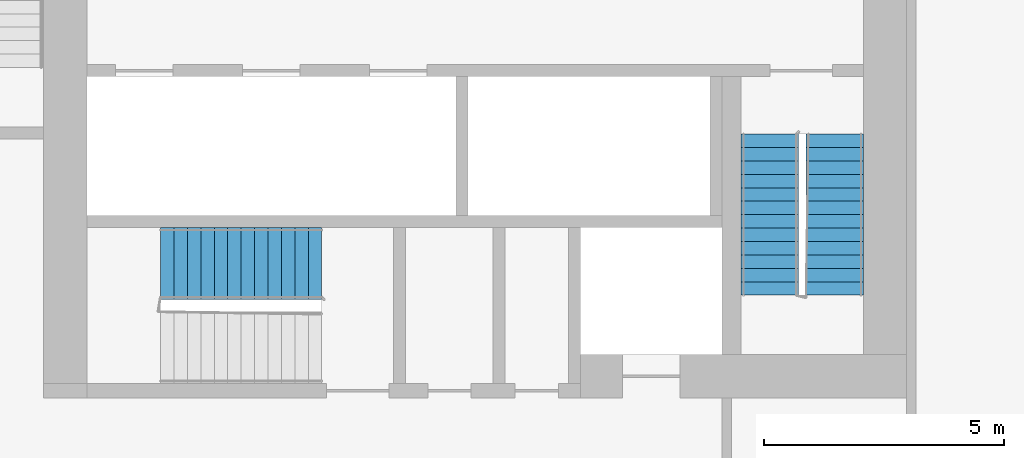
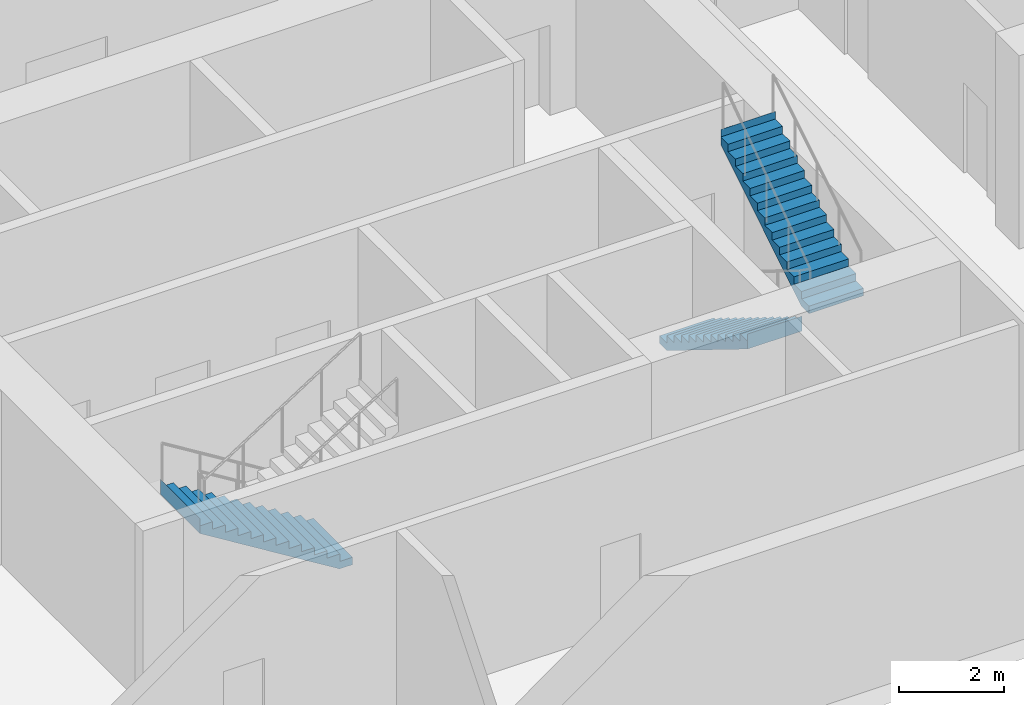
# One storey, part 13 of 19: 3 stair flights, 2 elements without a shape of their own.
"""IFC4 building model written with IfcOpenShell, lengths in metres."""

from ifc_helpers import new_model, si_unit, direction, frame, origin, place, context, subcontext, project, spatial, faceted_brep, material, type_object, element, aggregate, save


model = new_model("IFC4")

# Units and contexts
model_context = context("Model", 3, precision=1e-05, world=origin(), true_north=direction((0.0, 1.0)))
body_context = subcontext(model_context, "Body", "Model", "MODEL_VIEW")
ifc_project = project(units=[si_unit("LENGTHUNIT", "METRE"), si_unit("AREAUNIT", "SQUARE_METRE"), si_unit("VOLUMEUNIT", "CUBIC_METRE"), si_unit("PLANEANGLEUNIT", "RADIAN"), si_unit("MASSUNIT", "GRAM", prefix="KILO")], contexts=[model_context])

# Site, building, storey
site_placement = place(None, origin())
site = spatial("IfcSite", under=ifc_project, at=site_placement, CompositionType="ELEMENT")
building_placement = place(site_placement, origin())
building = spatial("IfcBuilding", under=site, at=building_placement, Name="Kajstack Hotel Tower", CompositionType="ELEMENT")
storey_placement = place(building_placement, frame((0.0, 0.0, 33.5)))
storey = spatial("IfcBuildingStorey", under=building, at=storey_placement, Name="L05", CompositionType="ELEMENT", Elevation=33.5)

# Stair, stair flights
ifc_material = material(Name="Concrete C40/50", Category="concrete")
stair_type_1 = type_object("IfcStairType", Name="Exit stair 1200", PredefinedType="HALF_TURN_STAIR", material=ifc_material)
stair_1_placement = place(storey_placement, origin())
stair_1 = element("IfcStair", 1, at=stair_1_placement, inside=storey, type_object=stair_type_1, Name="L05 stair W2", PredefinedType="HALF_TURN_STAIR")
stair_flight_type_1 = type_object("IfcStairFlightType", Name="Exit stair flight 1200", PredefinedType="STRAIGHT", material=ifc_material)
stair_flight_1_placement = place(storey_placement, frame((-16.35009765625, -10.0, 0.0), z_axis=(0.0, 0.0, 1.0), x_axis=(0.0, -1.0, 0.0)))
stair_flight_1 = element("IfcStairFlight", 2, at=stair_flight_1_placement, type_object=stair_flight_type_1, Name="W2 flight 1", NumberOfRisers=13, NumberOfTreads=12, PredefinedType="STRAIGHT", RiserHeight=0.173076923, TreadLength=0.28, context=body_context, shape_type="Brep", body=[
    faceted_brep([(0.28564453125, -0.60009765625, 0.0), (3.360595703125, -0.60009765625, 1.900634765625), (3.360595703125, -0.60009765625, 2.25), (3.360107421875, -0.60009765625, 2.25), (3.360107421875, -0.60009765625, 2.076904296875), (3.080078125, -0.60009765625, 2.076904296875), (3.080078125, -0.60009765625, 1.90380859375), (2.800048828125, -0.60009765625, 1.90380859375), (2.800048828125, -0.60009765625, 1.730712890625), (2.52001953125, -0.60009765625, 1.730712890625), (2.52001953125, -0.60009765625, 1.5576171875), (2.239990234375, -0.60009765625, 1.5576171875), (2.239990234375, -0.60009765625, 1.384521484375), (1.9599609375, -0.60009765625, 1.384521484375), (1.9599609375, -0.60009765625, 1.21142578125), (1.679931640625, -0.60009765625, 1.21142578125), (1.679931640625, -0.60009765625, 1.03857421875), (1.39990234375, -0.60009765625, 1.03857421875), (1.39990234375, -0.60009765625, 0.865478515625), (1.1201171875, -0.60009765625, 0.865478515625), (1.1201171875, -0.60009765625, 0.6923828125), (0.840087890625, -0.60009765625, 0.6923828125), (0.840087890625, -0.60009765625, 0.519287109375), (0.56005859375, -0.60009765625, 0.519287109375), (0.56005859375, -0.60009765625, 0.34619140625), (0.280029296875, -0.60009765625, 0.34619140625), (0.280029296875, -0.60009765625, 0.173095703125), (-0.00048828125, -0.60009765625, 0.173095703125), (-0.00048828125, -0.60009765625, 0.0), (-0.00048828125, 0.60009765625, 0.0), (-0.00048828125, 0.60009765625, 0.173095703125), (0.280029296875, 0.60009765625, 0.173095703125), (0.280029296875, 0.60009765625, 0.34619140625), (0.56005859375, 0.60009765625, 0.34619140625), (0.56005859375, 0.60009765625, 0.519287109375), (0.840087890625, 0.60009765625, 0.519287109375), (0.840087890625, 0.60009765625, 0.6923828125), (1.1201171875, 0.60009765625, 0.6923828125), (1.1201171875, 0.60009765625, 0.865478515625), (1.39990234375, 0.60009765625, 0.865478515625), (1.39990234375, 0.60009765625, 1.03857421875), (1.679931640625, 0.60009765625, 1.03857421875), (1.679931640625, 0.60009765625, 1.21142578125), (1.9599609375, 0.60009765625, 1.21142578125), (1.9599609375, 0.60009765625, 1.384521484375), (2.239990234375, 0.60009765625, 1.384521484375), (2.239990234375, 0.60009765625, 1.5576171875), (2.52001953125, 0.60009765625, 1.5576171875), (2.52001953125, 0.60009765625, 1.730712890625), (2.800048828125, 0.60009765625, 1.730712890625), (2.800048828125, 0.60009765625, 1.90380859375), (3.080078125, 0.60009765625, 1.90380859375), (3.080078125, 0.60009765625, 2.076904296875), (3.360107421875, 0.60009765625, 2.076904296875), (3.360107421875, 0.60009765625, 2.25), (3.360595703125, 0.60009765625, 2.25), (3.360595703125, 0.60009765625, 1.900634765625), (0.28564453125, 0.60009765625, 0.0), (-0.00048828125, -0.300048828125, 0.173095703125), (-0.00048828125, 0.0, 0.173095703125), (-0.00048828125, 0.300048828125, 0.173095703125), (-0.00048828125, 0.300048828125, 0.0), (-0.00048828125, 0.0, 0.0), (-0.00048828125, -0.300048828125, 0.0), (0.280029296875, -0.300048828125, 0.173095703125), (0.280029296875, 0.0, 0.173095703125), (0.280029296875, 0.300048828125, 0.173095703125), (0.280029296875, -0.300048828125, 0.34619140625), (0.280029296875, 0.0, 0.34619140625), (0.280029296875, 0.300048828125, 0.34619140625), (0.56005859375, -0.300048828125, 0.34619140625), (0.56005859375, 0.0, 0.34619140625), (0.56005859375, 0.300048828125, 0.34619140625), (0.56005859375, -0.300048828125, 0.519287109375), (0.56005859375, 0.0, 0.519287109375), (0.56005859375, 0.300048828125, 0.519287109375), (0.840087890625, -0.300048828125, 0.519287109375), (0.840087890625, 0.0, 0.519287109375), (0.840087890625, 0.300048828125, 0.519287109375), (0.840087890625, -0.300048828125, 0.6923828125), (0.840087890625, 0.0, 0.6923828125), (0.840087890625, 0.300048828125, 0.6923828125), (1.1201171875, -0.300048828125, 0.6923828125), (1.1201171875, 0.0, 0.6923828125), (1.1201171875, 0.300048828125, 0.6923828125), (1.1201171875, -0.300048828125, 0.865478515625), (1.1201171875, 0.0, 0.865478515625), (1.1201171875, 0.300048828125, 0.865478515625), (1.39990234375, -0.300048828125, 0.865478515625), (1.39990234375, 0.0, 0.865478515625), (1.39990234375, 0.300048828125, 0.865478515625), (1.39990234375, -0.300048828125, 1.03857421875), (1.39990234375, 0.0, 1.03857421875), (1.39990234375, 0.300048828125, 1.03857421875), (1.679931640625, -0.300048828125, 1.03857421875), (1.679931640625, 0.0, 1.03857421875), (1.679931640625, 0.300048828125, 1.03857421875), (1.679931640625, -0.300048828125, 1.21142578125), (1.679931640625, 0.0, 1.21142578125), (1.679931640625, 0.300048828125, 1.21142578125), (1.9599609375, -0.300048828125, 1.21142578125), (1.9599609375, 0.0, 1.21142578125), (1.9599609375, 0.300048828125, 1.21142578125), (1.9599609375, -0.300048828125, 1.384521484375), (1.9599609375, 0.0, 1.384521484375), (1.9599609375, 0.300048828125, 1.384521484375), (2.239990234375, -0.300048828125, 1.384521484375), (2.239990234375, 0.0, 1.384521484375), (2.239990234375, 0.300048828125, 1.384521484375), (2.239990234375, -0.300048828125, 1.5576171875), (2.239990234375, 0.0, 1.5576171875), (2.239990234375, 0.300048828125, 1.5576171875), (2.52001953125, -0.300048828125, 1.5576171875), (2.52001953125, 0.0, 1.5576171875), (2.52001953125, 0.300048828125, 1.5576171875), (2.52001953125, -0.300048828125, 1.730712890625), (2.52001953125, 0.0, 1.730712890625), (2.52001953125, 0.300048828125, 1.730712890625), (2.800048828125, -0.300048828125, 1.730712890625), (2.800048828125, 0.0, 1.730712890625), (2.800048828125, 0.300048828125, 1.730712890625), (2.800048828125, -0.300048828125, 1.90380859375), (2.800048828125, 0.0, 1.90380859375), (2.800048828125, 0.300048828125, 1.90380859375), (3.080078125, -0.300048828125, 1.90380859375), (3.080078125, 0.0, 1.90380859375), (3.080078125, 0.300048828125, 1.90380859375), (3.080078125, -0.300048828125, 2.076904296875), (3.080078125, 0.0, 2.076904296875), (3.080078125, 0.300048828125, 2.076904296875), (3.360107421875, -0.300048828125, 2.076904296875), (3.360107421875, 0.0, 2.076904296875), (3.360107421875, 0.300048828125, 2.076904296875), (3.360107421875, -0.300048828125, 2.25), (3.360107421875, 0.0, 2.25), (3.360107421875, 0.300048828125, 2.25), (3.360595703125, -0.300048828125, 2.25), (3.360595703125, 0.0, 2.25), (3.360595703125, 0.300048828125, 2.25), (3.360595703125, -0.300048828125, 1.900634765625), (3.360595703125, 0.0, 1.900634765625), (3.360595703125, 0.300048828125, 1.900634765625), (0.28564453125, -0.300048828125, 0.0), (0.28564453125, 0.0, 0.0), (0.28564453125, 0.300048828125, 0.0)], [[[0, 1, 2, 3, 4, 5, 6, 7, 8, 9, 10, 11, 12, 13, 14, 15, 16, 17, 18, 19, 20, 21, 22, 23, 24, 25, 26, 27, 28]], [[29, 30, 31, 32, 33, 34, 35, 36, 37, 38, 39, 40, 41, 42, 43, 44, 45, 46, 47, 48, 49, 50, 51, 52, 53, 54, 55, 56, 57]], [[27, 58, 59, 60, 30, 29, 61, 62, 63, 28]], [[26, 64, 65, 66, 31, 30, 60, 59, 58, 27]], [[25, 67, 68, 69, 32, 31, 66, 65, 64, 26]], [[24, 70, 71, 72, 33, 32, 69, 68, 67, 25]], [[23, 73, 74, 75, 34, 33, 72, 71, 70, 24]], [[22, 76, 77, 78, 35, 34, 75, 74, 73, 23]], [[21, 79, 80, 81, 36, 35, 78, 77, 76, 22]], [[20, 82, 83, 84, 37, 36, 81, 80, 79, 21]], [[19, 85, 86, 87, 38, 37, 84, 83, 82, 20]], [[18, 88, 89, 90, 39, 38, 87, 86, 85, 19]], [[17, 91, 92, 93, 40, 39, 90, 89, 88, 18]], [[16, 94, 95, 96, 41, 40, 93, 92, 91, 17]], [[15, 97, 98, 99, 42, 41, 96, 95, 94, 16]], [[14, 100, 101, 102, 43, 42, 99, 98, 97, 15]], [[13, 103, 104, 105, 44, 43, 102, 101, 100, 14]], [[12, 106, 107, 108, 45, 44, 105, 104, 103, 13]], [[11, 109, 110, 111, 46, 45, 108, 107, 106, 12]], [[10, 112, 113, 114, 47, 46, 111, 110, 109, 11]], [[9, 115, 116, 117, 48, 47, 114, 113, 112, 10]], [[8, 118, 119, 120, 49, 48, 117, 116, 115, 9]], [[7, 121, 122, 123, 50, 49, 120, 119, 118, 8]], [[6, 124, 125, 126, 51, 50, 123, 122, 121, 7]], [[5, 127, 128, 129, 52, 51, 126, 125, 124, 6]], [[4, 130, 131, 132, 53, 52, 129, 128, 127, 5]], [[3, 133, 134, 135, 54, 53, 132, 131, 130, 4]], [[2, 136, 137, 138, 55, 54, 135, 134, 133, 3]], [[1, 139, 140, 141, 56, 55, 138, 137, 136, 2]], [[0, 142, 143, 144, 57, 56, 141, 140, 139, 1]], [[28, 63, 62, 61, 29, 57, 144, 143, 142, 0]]]),
])
stair_flight_2_placement = place(storey_placement, frame((-15.0, -13.360107421875, 2.25), z_axis=(0.0, 0.0, 1.0), x_axis=(0.0, 1.0, 0.0)))
stair_flight_2 = element("IfcStairFlight", 3, at=stair_flight_2_placement, type_object=stair_flight_type_1, Name="W2 flight 2", NumberOfRisers=13, NumberOfTreads=12, PredefinedType="STRAIGHT", RiserHeight=0.173076923, TreadLength=0.28, context=body_context, shape_type="Brep", body=[
    faceted_brep([(0.28564453125, -0.60009765625, 0.0), (3.360595703125, -0.60009765625, 1.900634765625), (3.360595703125, -0.60009765625, 2.25), (3.360107421875, -0.60009765625, 2.25), (3.360107421875, -0.60009765625, 2.076904296875), (3.080078125, -0.60009765625, 2.076904296875), (3.080078125, -0.60009765625, 1.90380859375), (2.800048828125, -0.60009765625, 1.90380859375), (2.800048828125, -0.60009765625, 1.730712890625), (2.52001953125, -0.60009765625, 1.730712890625), (2.52001953125, -0.60009765625, 1.5576171875), (2.239990234375, -0.60009765625, 1.5576171875), (2.239990234375, -0.60009765625, 1.384521484375), (1.9599609375, -0.60009765625, 1.384521484375), (1.9599609375, -0.60009765625, 1.21142578125), (1.679931640625, -0.60009765625, 1.21142578125), (1.679931640625, -0.60009765625, 1.03857421875), (1.39990234375, -0.60009765625, 1.03857421875), (1.39990234375, -0.60009765625, 0.865478515625), (1.1201171875, -0.60009765625, 0.865478515625), (1.1201171875, -0.60009765625, 0.6923828125), (0.840087890625, -0.60009765625, 0.6923828125), (0.840087890625, -0.60009765625, 0.519287109375), (0.56005859375, -0.60009765625, 0.519287109375), (0.56005859375, -0.60009765625, 0.34619140625), (0.280029296875, -0.60009765625, 0.34619140625), (0.280029296875, -0.60009765625, 0.173095703125), (-0.00048828125, -0.60009765625, 0.173095703125), (-0.00048828125, -0.60009765625, 0.0), (-0.00048828125, 0.60009765625, 0.0), (-0.00048828125, 0.60009765625, 0.173095703125), (0.280029296875, 0.60009765625, 0.173095703125), (0.280029296875, 0.60009765625, 0.34619140625), (0.56005859375, 0.60009765625, 0.34619140625), (0.56005859375, 0.60009765625, 0.519287109375), (0.840087890625, 0.60009765625, 0.519287109375), (0.840087890625, 0.60009765625, 0.6923828125), (1.1201171875, 0.60009765625, 0.6923828125), (1.1201171875, 0.60009765625, 0.865478515625), (1.39990234375, 0.60009765625, 0.865478515625), (1.39990234375, 0.60009765625, 1.03857421875), (1.679931640625, 0.60009765625, 1.03857421875), (1.679931640625, 0.60009765625, 1.21142578125), (1.9599609375, 0.60009765625, 1.21142578125), (1.9599609375, 0.60009765625, 1.384521484375), (2.239990234375, 0.60009765625, 1.384521484375), (2.239990234375, 0.60009765625, 1.5576171875), (2.52001953125, 0.60009765625, 1.5576171875), (2.52001953125, 0.60009765625, 1.730712890625), (2.800048828125, 0.60009765625, 1.730712890625), (2.800048828125, 0.60009765625, 1.90380859375), (3.080078125, 0.60009765625, 1.90380859375), (3.080078125, 0.60009765625, 2.076904296875), (3.360107421875, 0.60009765625, 2.076904296875), (3.360107421875, 0.60009765625, 2.25), (3.360595703125, 0.60009765625, 2.25), (3.360595703125, 0.60009765625, 1.900634765625), (0.28564453125, 0.60009765625, 0.0), (-0.00048828125, -0.300048828125, 0.173095703125), (-0.00048828125, 0.0, 0.173095703125), (-0.00048828125, 0.300048828125, 0.173095703125), (-0.00048828125, 0.300048828125, 0.0), (-0.00048828125, 0.0, 0.0), (-0.00048828125, -0.300048828125, 0.0), (0.280029296875, -0.300048828125, 0.173095703125), (0.280029296875, 0.0, 0.173095703125), (0.280029296875, 0.300048828125, 0.173095703125), (0.280029296875, -0.300048828125, 0.34619140625), (0.280029296875, 0.0, 0.34619140625), (0.280029296875, 0.300048828125, 0.34619140625), (0.56005859375, -0.300048828125, 0.34619140625), (0.56005859375, 0.0, 0.34619140625), (0.56005859375, 0.300048828125, 0.34619140625), (0.56005859375, -0.300048828125, 0.519287109375), (0.56005859375, 0.0, 0.519287109375), (0.56005859375, 0.300048828125, 0.519287109375), (0.840087890625, -0.300048828125, 0.519287109375), (0.840087890625, 0.0, 0.519287109375), (0.840087890625, 0.300048828125, 0.519287109375), (0.840087890625, -0.300048828125, 0.6923828125), (0.840087890625, 0.0, 0.6923828125), (0.840087890625, 0.300048828125, 0.6923828125), (1.1201171875, -0.300048828125, 0.6923828125), (1.1201171875, 0.0, 0.6923828125), (1.1201171875, 0.300048828125, 0.6923828125), (1.1201171875, -0.300048828125, 0.865478515625), (1.1201171875, 0.0, 0.865478515625), (1.1201171875, 0.300048828125, 0.865478515625), (1.39990234375, -0.300048828125, 0.865478515625), (1.39990234375, 0.0, 0.865478515625), (1.39990234375, 0.300048828125, 0.865478515625), (1.39990234375, -0.300048828125, 1.03857421875), (1.39990234375, 0.0, 1.03857421875), (1.39990234375, 0.300048828125, 1.03857421875), (1.679931640625, -0.300048828125, 1.03857421875), (1.679931640625, 0.0, 1.03857421875), (1.679931640625, 0.300048828125, 1.03857421875), (1.679931640625, -0.300048828125, 1.21142578125), (1.679931640625, 0.0, 1.21142578125), (1.679931640625, 0.300048828125, 1.21142578125), (1.9599609375, -0.300048828125, 1.21142578125), (1.9599609375, 0.0, 1.21142578125), (1.9599609375, 0.300048828125, 1.21142578125), (1.9599609375, -0.300048828125, 1.384521484375), (1.9599609375, 0.0, 1.384521484375), (1.9599609375, 0.300048828125, 1.384521484375), (2.239990234375, -0.300048828125, 1.384521484375), (2.239990234375, 0.0, 1.384521484375), (2.239990234375, 0.300048828125, 1.384521484375), (2.239990234375, -0.300048828125, 1.5576171875), (2.239990234375, 0.0, 1.5576171875), (2.239990234375, 0.300048828125, 1.5576171875), (2.52001953125, -0.300048828125, 1.5576171875), (2.52001953125, 0.0, 1.5576171875), (2.52001953125, 0.300048828125, 1.5576171875), (2.52001953125, -0.300048828125, 1.730712890625), (2.52001953125, 0.0, 1.730712890625), (2.52001953125, 0.300048828125, 1.730712890625), (2.800048828125, -0.300048828125, 1.730712890625), (2.800048828125, 0.0, 1.730712890625), (2.800048828125, 0.300048828125, 1.730712890625), (2.800048828125, -0.300048828125, 1.90380859375), (2.800048828125, 0.0, 1.90380859375), (2.800048828125, 0.300048828125, 1.90380859375), (3.080078125, -0.300048828125, 1.90380859375), (3.080078125, 0.0, 1.90380859375), (3.080078125, 0.300048828125, 1.90380859375), (3.080078125, -0.300048828125, 2.076904296875), (3.080078125, 0.0, 2.076904296875), (3.080078125, 0.300048828125, 2.076904296875), (3.360107421875, -0.300048828125, 2.076904296875), (3.360107421875, 0.0, 2.076904296875), (3.360107421875, 0.300048828125, 2.076904296875), (3.360107421875, -0.300048828125, 2.25), (3.360107421875, 0.0, 2.25), (3.360107421875, 0.300048828125, 2.25), (3.360595703125, -0.300048828125, 2.25), (3.360595703125, 0.0, 2.25), (3.360595703125, 0.300048828125, 2.25), (3.360595703125, -0.300048828125, 1.900634765625), (3.360595703125, 0.0, 1.900634765625), (3.360595703125, 0.300048828125, 1.900634765625), (0.28564453125, -0.300048828125, 0.0), (0.28564453125, 0.0, 0.0), (0.28564453125, 0.300048828125, 0.0)], [[[0, 1, 2, 3, 4, 5, 6, 7, 8, 9, 10, 11, 12, 13, 14, 15, 16, 17, 18, 19, 20, 21, 22, 23, 24, 25, 26, 27, 28]], [[29, 30, 31, 32, 33, 34, 35, 36, 37, 38, 39, 40, 41, 42, 43, 44, 45, 46, 47, 48, 49, 50, 51, 52, 53, 54, 55, 56, 57]], [[27, 58, 59, 60, 30, 29, 61, 62, 63, 28]], [[26, 64, 65, 66, 31, 30, 60, 59, 58, 27]], [[25, 67, 68, 69, 32, 31, 66, 65, 64, 26]], [[24, 70, 71, 72, 33, 32, 69, 68, 67, 25]], [[23, 73, 74, 75, 34, 33, 72, 71, 70, 24]], [[22, 76, 77, 78, 35, 34, 75, 74, 73, 23]], [[21, 79, 80, 81, 36, 35, 78, 77, 76, 22]], [[20, 82, 83, 84, 37, 36, 81, 80, 79, 21]], [[19, 85, 86, 87, 38, 37, 84, 83, 82, 20]], [[18, 88, 89, 90, 39, 38, 87, 86, 85, 19]], [[17, 91, 92, 93, 40, 39, 90, 89, 88, 18]], [[16, 94, 95, 96, 41, 40, 93, 92, 91, 17]], [[15, 97, 98, 99, 42, 41, 96, 95, 94, 16]], [[14, 100, 101, 102, 43, 42, 99, 98, 97, 15]], [[13, 103, 104, 105, 44, 43, 102, 101, 100, 14]], [[12, 106, 107, 108, 45, 44, 105, 104, 103, 13]], [[11, 109, 110, 111, 46, 45, 108, 107, 106, 12]], [[10, 112, 113, 114, 47, 46, 111, 110, 109, 11]], [[9, 115, 116, 117, 48, 47, 114, 113, 112, 10]], [[8, 118, 119, 120, 49, 48, 117, 116, 115, 9]], [[7, 121, 122, 123, 50, 49, 120, 119, 118, 8]], [[6, 124, 125, 126, 51, 50, 123, 122, 121, 7]], [[5, 127, 128, 129, 52, 51, 126, 125, 124, 6]], [[4, 130, 131, 132, 53, 52, 129, 128, 127, 5]], [[3, 133, 134, 135, 54, 53, 132, 131, 130, 4]], [[2, 136, 137, 138, 55, 54, 135, 134, 133, 3]], [[1, 139, 140, 141, 56, 55, 138, 137, 136, 2]], [[0, 142, 143, 144, 57, 56, 141, 140, 139, 1]], [[28, 63, 62, 61, 29, 57, 144, 143, 142, 0]]]),
])
aggregate(stair_1, [stair_flight_1, stair_flight_2])

# Stair, stair flight
stair_type_2 = type_object("IfcStairType", Name="Exit stair 1500", PredefinedType="HALF_TURN_STAIR", material=ifc_material)
stair_2_placement = place(storey_placement, origin())
stair_2 = element("IfcStair", 4, at=stair_2_placement, inside=storey, type_object=stair_type_2, Name="L05 stair W3", PredefinedType="HALF_TURN_STAIR")
stair_flight_type_2 = type_object("IfcStairFlightType", Name="Exit stair flight 1500", PredefinedType="STRAIGHT", material=ifc_material)
stair_flight_3_placement = place(storey_placement, frame((-25.699951171875, -12.699951171875, 0.0), z_axis=(0.0, 0.0, 1.0), x_axis=(-1.0, 0.0, 0.0)))
stair_flight_3 = element("IfcStairFlight", 5, at=stair_flight_3_placement, type_object=stair_flight_type_2, Name="W3 flight 1", NumberOfRisers=13, NumberOfTreads=12, PredefinedType="STRAIGHT", RiserHeight=0.173076923, TreadLength=0.28, context=body_context, shape_type="Brep", body=[
    faceted_brep([(0.28564453125, -0.75, 0.0), (3.360595703125, -0.75, 1.900634765625), (3.360595703125, -0.75, 2.25), (3.360107421875, -0.75, 2.25), (3.360107421875, -0.75, 2.076904296875), (3.080078125, -0.75, 2.076904296875), (3.080078125, -0.75, 1.90380859375), (2.800048828125, -0.75, 1.90380859375), (2.800048828125, -0.75, 1.730712890625), (2.52001953125, -0.75, 1.730712890625), (2.52001953125, -0.75, 1.5576171875), (2.239990234375, -0.75, 1.5576171875), (2.239990234375, -0.75, 1.384521484375), (1.9599609375, -0.75, 1.384521484375), (1.9599609375, -0.75, 1.21142578125), (1.679931640625, -0.75, 1.21142578125), (1.679931640625, -0.75, 1.03857421875), (1.39990234375, -0.75, 1.03857421875), (1.39990234375, -0.75, 0.865478515625), (1.1201171875, -0.75, 0.865478515625), (1.1201171875, -0.75, 0.6923828125), (0.840087890625, -0.75, 0.6923828125), (0.840087890625, -0.75, 0.519287109375), (0.56005859375, -0.75, 0.519287109375), (0.56005859375, -0.75, 0.34619140625), (0.280029296875, -0.75, 0.34619140625), (0.280029296875, -0.75, 0.173095703125), (-0.00048828125, -0.75, 0.173095703125), (-0.00048828125, -0.75, 0.0), (-0.00048828125, 0.75, 0.0), (-0.00048828125, 0.75, 0.173095703125), (0.280029296875, 0.75, 0.173095703125), (0.280029296875, 0.75, 0.34619140625), (0.56005859375, 0.75, 0.34619140625), (0.56005859375, 0.75, 0.519287109375), (0.840087890625, 0.75, 0.519287109375), (0.840087890625, 0.75, 0.6923828125), (1.1201171875, 0.75, 0.6923828125), (1.1201171875, 0.75, 0.865478515625), (1.39990234375, 0.75, 0.865478515625), (1.39990234375, 0.75, 1.03857421875), (1.679931640625, 0.75, 1.03857421875), (1.679931640625, 0.75, 1.21142578125), (1.9599609375, 0.75, 1.21142578125), (1.9599609375, 0.75, 1.384521484375), (2.239990234375, 0.75, 1.384521484375), (2.239990234375, 0.75, 1.5576171875), (2.52001953125, 0.75, 1.5576171875), (2.52001953125, 0.75, 1.730712890625), (2.800048828125, 0.75, 1.730712890625), (2.800048828125, 0.75, 1.90380859375), (3.080078125, 0.75, 1.90380859375), (3.080078125, 0.75, 2.076904296875), (3.360107421875, 0.75, 2.076904296875), (3.360107421875, 0.75, 2.25), (3.360595703125, 0.75, 2.25), (3.360595703125, 0.75, 1.900634765625), (0.28564453125, 0.75, 0.0), (-0.00048828125, -0.375, 0.173095703125), (-0.00048828125, 0.0, 0.173095703125), (-0.00048828125, 0.375, 0.173095703125), (-0.00048828125, 0.375, 0.0), (-0.00048828125, 0.0, 0.0), (-0.00048828125, -0.375, 0.0), (0.280029296875, -0.375, 0.173095703125), (0.280029296875, 0.0, 0.173095703125), (0.280029296875, 0.375, 0.173095703125), (0.280029296875, -0.375, 0.34619140625), (0.280029296875, 0.0, 0.34619140625), (0.280029296875, 0.375, 0.34619140625), (0.56005859375, -0.375, 0.34619140625), (0.56005859375, 0.0, 0.34619140625), (0.56005859375, 0.375, 0.34619140625), (0.56005859375, -0.375, 0.519287109375), (0.56005859375, 0.0, 0.519287109375), (0.56005859375, 0.375, 0.519287109375), (0.840087890625, -0.375, 0.519287109375), (0.840087890625, 0.0, 0.519287109375), (0.840087890625, 0.375, 0.519287109375), (0.840087890625, -0.375, 0.6923828125), (0.840087890625, 0.0, 0.6923828125), (0.840087890625, 0.375, 0.6923828125), (1.1201171875, -0.375, 0.6923828125), (1.1201171875, 0.0, 0.6923828125), (1.1201171875, 0.375, 0.6923828125), (1.1201171875, -0.375, 0.865478515625), (1.1201171875, 0.0, 0.865478515625), (1.1201171875, 0.375, 0.865478515625), (1.39990234375, -0.375, 0.865478515625), (1.39990234375, 0.0, 0.865478515625), (1.39990234375, 0.375, 0.865478515625), (1.39990234375, -0.375, 1.03857421875), (1.39990234375, 0.0, 1.03857421875), (1.39990234375, 0.375, 1.03857421875), (1.679931640625, -0.375, 1.03857421875), (1.679931640625, 0.0, 1.03857421875), (1.679931640625, 0.375, 1.03857421875), (1.679931640625, -0.375, 1.21142578125), (1.679931640625, 0.0, 1.21142578125), (1.679931640625, 0.375, 1.21142578125), (1.9599609375, -0.375, 1.21142578125), (1.9599609375, 0.0, 1.21142578125), (1.9599609375, 0.375, 1.21142578125), (1.9599609375, -0.375, 1.384521484375), (1.9599609375, 0.0, 1.384521484375), (1.9599609375, 0.375, 1.384521484375), (2.239990234375, -0.375, 1.384521484375), (2.239990234375, 0.0, 1.384521484375), (2.239990234375, 0.375, 1.384521484375), (2.239990234375, -0.375, 1.5576171875), (2.239990234375, 0.0, 1.5576171875), (2.239990234375, 0.375, 1.5576171875), (2.52001953125, -0.375, 1.5576171875), (2.52001953125, 0.0, 1.5576171875), (2.52001953125, 0.375, 1.5576171875), (2.52001953125, -0.375, 1.730712890625), (2.52001953125, 0.0, 1.730712890625), (2.52001953125, 0.375, 1.730712890625), (2.800048828125, -0.375, 1.730712890625), (2.800048828125, 0.0, 1.730712890625), (2.800048828125, 0.375, 1.730712890625), (2.800048828125, -0.375, 1.90380859375), (2.800048828125, 0.0, 1.90380859375), (2.800048828125, 0.375, 1.90380859375), (3.080078125, -0.375, 1.90380859375), (3.080078125, 0.0, 1.90380859375), (3.080078125, 0.375, 1.90380859375), (3.080078125, -0.375, 2.076904296875), (3.080078125, 0.0, 2.076904296875), (3.080078125, 0.375, 2.076904296875), (3.360107421875, -0.375, 2.076904296875), (3.360107421875, 0.0, 2.076904296875), (3.360107421875, 0.375, 2.076904296875), (3.360107421875, -0.375, 2.25), (3.360107421875, 0.0, 2.25), (3.360107421875, 0.375, 2.25), (3.360595703125, -0.375, 2.25), (3.360595703125, 0.0, 2.25), (3.360595703125, 0.375, 2.25), (3.360595703125, -0.375, 1.900634765625), (3.360595703125, 0.0, 1.900634765625), (3.360595703125, 0.375, 1.900634765625), (0.28564453125, -0.375, 0.0), (0.28564453125, 0.0, 0.0), (0.28564453125, 0.375, 0.0)], [[[0, 1, 2, 3, 4, 5, 6, 7, 8, 9, 10, 11, 12, 13, 14, 15, 16, 17, 18, 19, 20, 21, 22, 23, 24, 25, 26, 27, 28]], [[29, 30, 31, 32, 33, 34, 35, 36, 37, 38, 39, 40, 41, 42, 43, 44, 45, 46, 47, 48, 49, 50, 51, 52, 53, 54, 55, 56, 57]], [[27, 58, 59, 60, 30, 29, 61, 62, 63, 28]], [[26, 64, 65, 66, 31, 30, 60, 59, 58, 27]], [[25, 67, 68, 69, 32, 31, 66, 65, 64, 26]], [[24, 70, 71, 72, 33, 32, 69, 68, 67, 25]], [[23, 73, 74, 75, 34, 33, 72, 71, 70, 24]], [[22, 76, 77, 78, 35, 34, 75, 74, 73, 23]], [[21, 79, 80, 81, 36, 35, 78, 77, 76, 22]], [[20, 82, 83, 84, 37, 36, 81, 80, 79, 21]], [[19, 85, 86, 87, 38, 37, 84, 83, 82, 20]], [[18, 88, 89, 90, 39, 38, 87, 86, 85, 19]], [[17, 91, 92, 93, 40, 39, 90, 89, 88, 18]], [[16, 94, 95, 96, 41, 40, 93, 92, 91, 17]], [[15, 97, 98, 99, 42, 41, 96, 95, 94, 16]], [[14, 100, 101, 102, 43, 42, 99, 98, 97, 15]], [[13, 103, 104, 105, 44, 43, 102, 101, 100, 14]], [[12, 106, 107, 108, 45, 44, 105, 104, 103, 13]], [[11, 109, 110, 111, 46, 45, 108, 107, 106, 12]], [[10, 112, 113, 114, 47, 46, 111, 110, 109, 11]], [[9, 115, 116, 117, 48, 47, 114, 113, 112, 10]], [[8, 118, 119, 120, 49, 48, 117, 116, 115, 9]], [[7, 121, 122, 123, 50, 49, 120, 119, 118, 8]], [[6, 124, 125, 126, 51, 50, 123, 122, 121, 7]], [[5, 127, 128, 129, 52, 51, 126, 125, 124, 6]], [[4, 130, 131, 132, 53, 52, 129, 128, 127, 5]], [[3, 133, 134, 135, 54, 53, 132, 131, 130, 4]], [[2, 136, 137, 138, 55, 54, 135, 134, 133, 3]], [[1, 139, 140, 141, 56, 55, 138, 137, 136, 2]], [[0, 142, 143, 144, 57, 56, 141, 140, 139, 1]], [[28, 63, 62, 61, 29, 57, 144, 143, 142, 0]]]),
])
aggregate(stair_2, [stair_flight_3])

save(model, "model.ifc")
